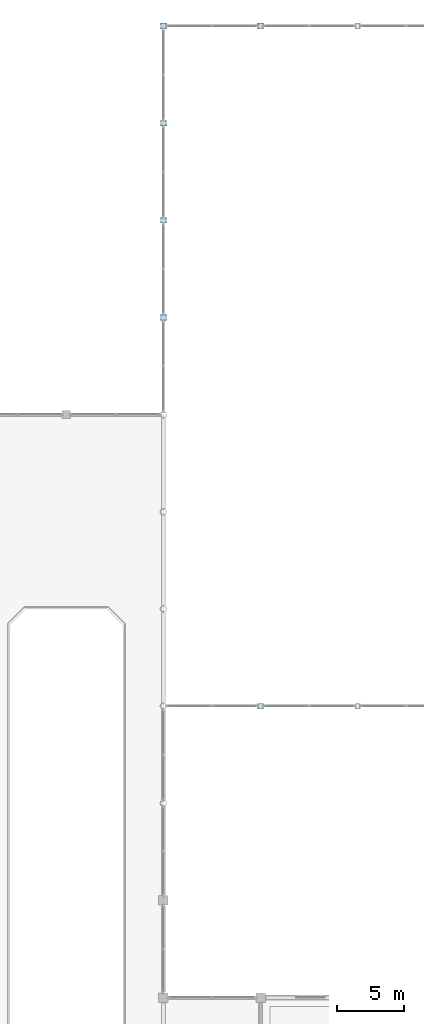
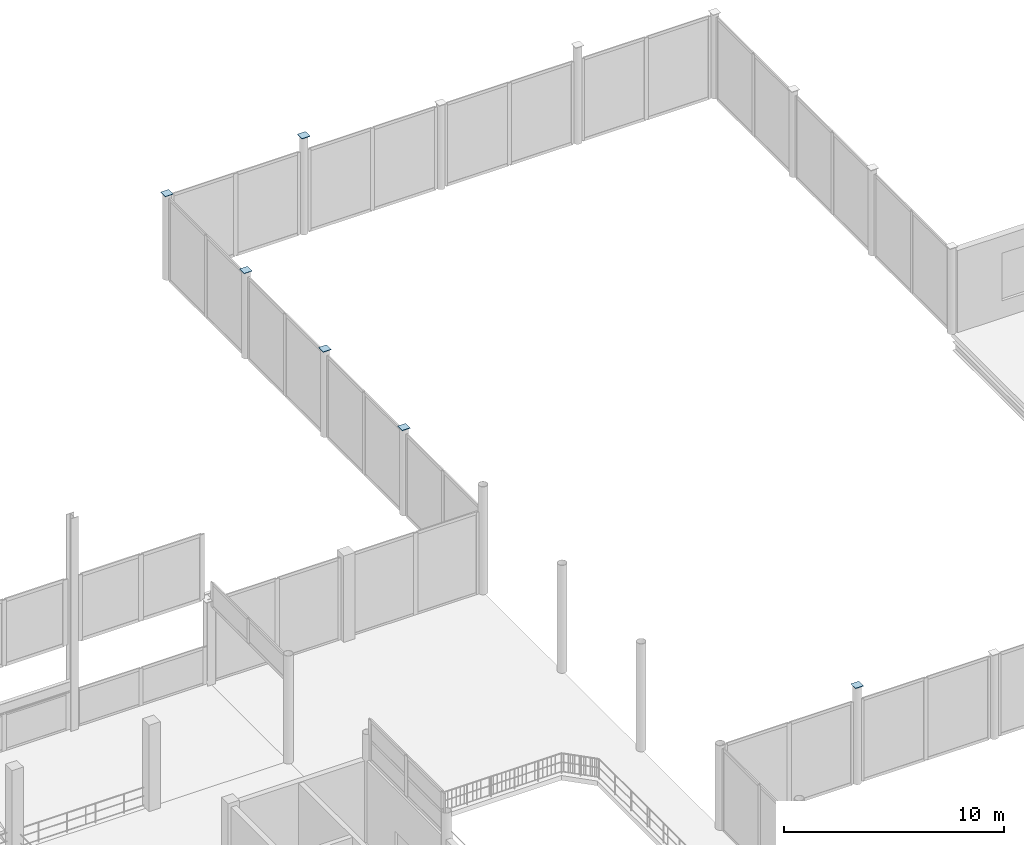
# One storey, part 89 of 120: 6 plates.
"""IFC4 building model written with IfcOpenShell, lengths in metres."""

from ifc_helpers import new_model, si_unit, direction, frame, origin, origin_2d, place, context, subcontext, project, spatial, rectangle, extrude, material, layer, layer_set, type_object, element, save


model = new_model("IFC4")

# Units and contexts
model_context = context("Model", 3, precision=1e-05, world=origin(), true_north=direction((0.0, 1.0)))
body_context = subcontext(model_context, "Body", "Model", "MODEL_VIEW")
ifc_project = project(units=[si_unit("LENGTHUNIT", "METRE"), si_unit("AREAUNIT", "SQUARE_METRE"), si_unit("VOLUMEUNIT", "CUBIC_METRE"), si_unit("PLANEANGLEUNIT", "RADIAN"), si_unit("MASSUNIT", "GRAM", prefix="KILO")], contexts=[model_context])

# Site, building, storey
site_placement = place(None, origin())
site = spatial("IfcSite", under=ifc_project, at=site_placement, CompositionType="ELEMENT")
building_placement = place(site_placement, origin())
building = spatial("IfcBuilding", under=site, at=building_placement, Name="Vesperath Aquatics Centre", CompositionType="ELEMENT")
storey_placement = place(building_placement, frame((0.0, 0.0, 10.199951171875)))
storey = spatial("IfcBuildingStorey", under=building, at=storey_placement, Name="L02", CompositionType="ELEMENT", Elevation=10.199951171875)

# Plates
ifc_material = material(Name="Steel Q355D", Category="steel")
ifc_layer = layer(ifc_material, 0.02392578125)
ifc_layer_set = layer_set([ifc_layer], Name="Steel Q355D")
plate_type = type_object("IfcPlateType", Name="PT-TN04", PredefinedType="SHEET", material=ifc_layer_set)
for number, where, z_axis, x_axis, name in (
    (1, (115.199951171875, 93.60009765625, 4.7880859375), (0.0, 0.0, 1.0), (1.0, 0.0, 0.0), "Hollow Column End Cap Plate TN04 L02 17/P"),
    (2, (115.199951171875, 100.800048828125, 4.7880859375), (0.0, 0.0, 1.0), (1.0, 0.0, 0.0), "Hollow Column End Cap Plate TN04 L02 17/Q"),
    (3, (115.199951171875, 108.0, 4.7880859375), (0.0, 0.0, 1.0), (1.0, 0.0, 0.0), "Hollow Column End Cap Plate TN04 L02 17/R"),
    (4, (115.199951171875, 115.199951171875, 4.693115234375), (0.0, 0.0, 1.0), (1.0, 0.0, 0.0), "Hollow Column End Cap Plate TN04 L02 17/S"),
    (5, (122.39990234375, 64.800048828125, 5.39306640625), (0.0, 0.0, 1.0), (1.0, 0.0, 0.0), "Hollow Column End Cap Plate TN04 L02 18/K"),
    (6, (122.39990234375, 115.199951171875, 5.39306640625), (0.0, 0.0, 1.0), (1.0, 0.0, 0.0), "Hollow Column End Cap Plate TN04 L02 18/S"),
):
    element("IfcPlate", number, at=place(storey_placement, frame(where, z_axis=z_axis, x_axis=x_axis)), inside=storey, type_object=plate_type, Name=name, PredefinedType="SHEET", context=body_context, shape_type="SweptSolid", body=[
        extrude(rectangle(XDim=0.419921875, YDim=0.419921875, at=origin_2d()), origin(), (0.0, 0.0, 1.0), 0.02392578125),
    ])

save(model, "model.ifc")
